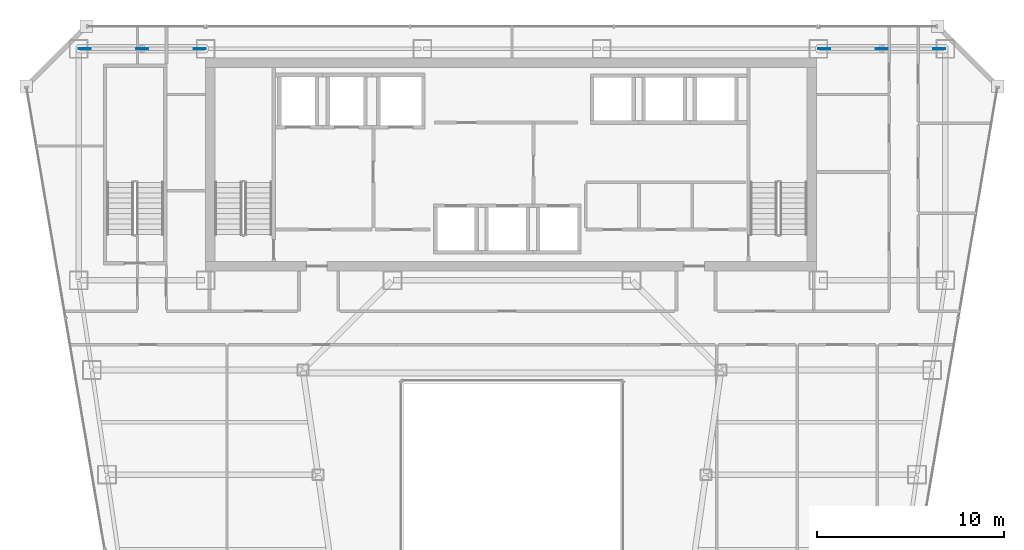
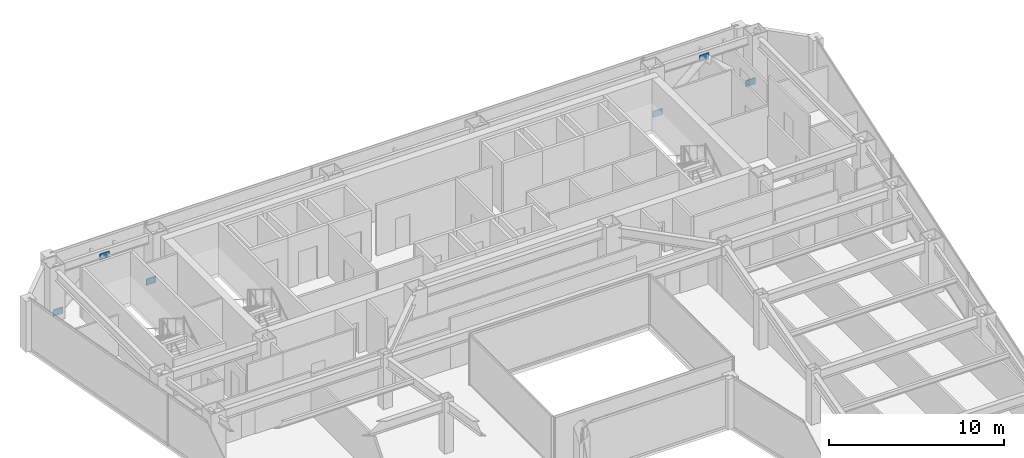
# One storey, part 29 of 36: 6 plates.
"""IFC4 building model written with IfcOpenShell, lengths in metres."""

from ifc_helpers import new_model, si_unit, direction, frame, origin, origin_2d, place, context, subcontext, project, spatial, rectangle, extrude, material, layer, layer_set, type_object, element, save


model = new_model("IFC4")

# Units and contexts
model_context = context("Model", 3, precision=1e-05, world=origin(), true_north=direction((0.0, 1.0)))
body_context = subcontext(model_context, "Body", "Model", "MODEL_VIEW")
ifc_project = project(units=[si_unit("LENGTHUNIT", "METRE"), si_unit("AREAUNIT", "SQUARE_METRE"), si_unit("VOLUMEUNIT", "CUBIC_METRE"), si_unit("PLANEANGLEUNIT", "RADIAN"), si_unit("MASSUNIT", "GRAM", prefix="KILO")], contexts=[model_context])

# Site, building, storey
site_placement = place(None, origin())
site = spatial("IfcSite", under=ifc_project, at=site_placement, CompositionType="ELEMENT")
building_placement = place(site_placement, origin())
building = spatial("IfcBuilding", under=site, at=building_placement, Name="Saevonmaru Cultural Tower", CompositionType="ELEMENT")
storey_placement = place(building_placement, frame((0.0, 0.0, 171.39990234375)))
storey = spatial("IfcBuildingStorey", under=building, at=storey_placement, Name="L38", CompositionType="ELEMENT", Elevation=171.39990234375)

# Plates
ifc_material = material(Name="Steel HSA600 (600 MPa)", Category="steel")
ifc_layer = layer(ifc_material, 0.0400390625, Name="Steel HSA600 (600 MPa)")
ifc_layer_set = layer_set([ifc_layer], Name="Steel HSA600 (600 MPa)")
plate_type = type_object("IfcPlateType", Name="PL-GUSSET-EXT", PredefinedType="USERDEFINED", material=ifc_layer_set)
for number, where, z_axis, x_axis, name in (
    (1, (10.199951171875, 54.800048828125, 2.85009765625), (0.0, 0.0, 1.0), (1.0, 0.0, 0.0), "L38 Perimeter Tube Gusset Plate"),
    (2, (7.1201171875, 54.800048828125, 0.02001953125), (0.0, 0.0, 1.0), (1.0, 0.0, 0.0), "L38 Perimeter Tube Gusset Plate"),
    (3, (13.280029296875, 54.800048828125, 0.02001953125), (0.0, 0.0, 1.0), (1.0, 0.0, 0.0), "L38 Perimeter Tube Gusset Plate"),
    (4, (49.800048828125, 54.800048828125, 2.85009765625), (0.0, 0.0, 1.0), (1.0, 0.0, 0.0), "L38 Perimeter Tube Gusset Plate"),
    (5, (46.719970703125, 54.800048828125, 0.02001953125), (0.0, 0.0, 1.0), (1.0, 0.0, 0.0), "L38 Perimeter Tube Gusset Plate"),
    (6, (52.8798828125, 54.800048828125, 0.02001953125), (0.0, 0.0, 1.0), (1.0, 0.0, 0.0), "L38 Perimeter Tube Gusset Plate"),
):
    element("IfcPlate", number, at=place(storey_placement, frame(where, z_axis=z_axis, x_axis=x_axis)), inside=storey, type_object=plate_type, Name=name, ObjectType="GUSSET_PLATE", PredefinedType="USERDEFINED", context=body_context, shape_type="SweptSolid", body=[
        extrude(rectangle(XDim=0.639892578125, YDim=0.0400390625, at=origin_2d()), origin(), (0.0, 0.0, 1.0), 0.43994140625),
    ])

save(model, "model.ifc")
